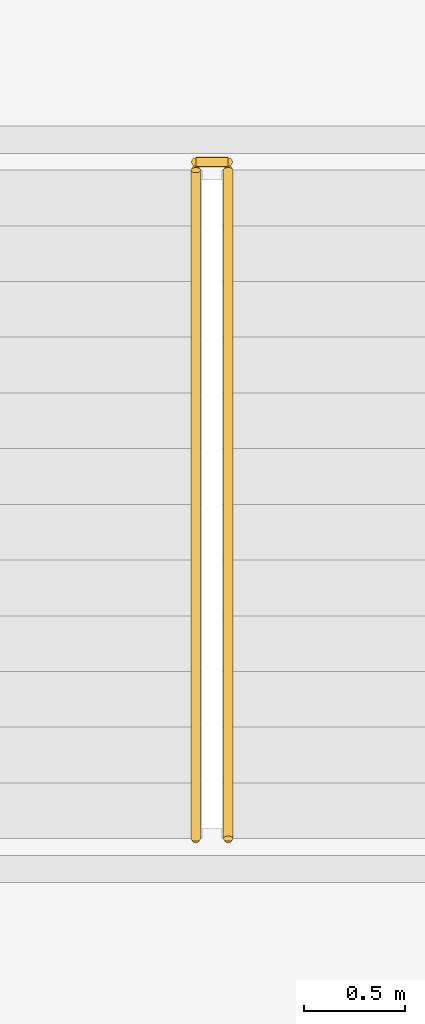
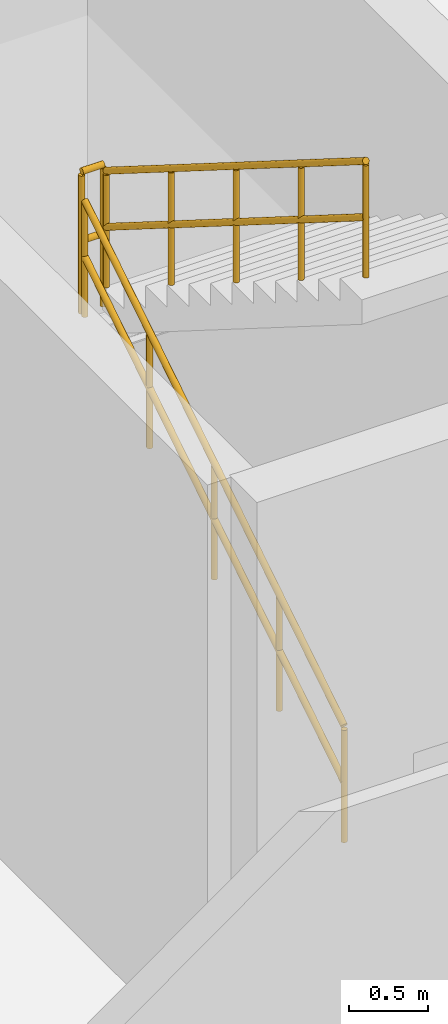
# One storey, part 6 of 8: 3 railings.
"""IFC4 building model written with IfcOpenShell, lengths in metres."""

from ifc_helpers import new_model, si_unit, direction, frame, origin, origin_2d, place, context, subcontext, project, spatial, circle, extrude, material, type_object, element, save


model = new_model("IFC4")

# Units and contexts
model_context = context("Model", 3, precision=1e-05, world=origin(), true_north=direction((0.0, 1.0)))
body_context = subcontext(model_context, "Body", "Model", "MODEL_VIEW")
ifc_project = project(units=[si_unit("LENGTHUNIT", "METRE"), si_unit("AREAUNIT", "SQUARE_METRE"), si_unit("VOLUMEUNIT", "CUBIC_METRE"), si_unit("PLANEANGLEUNIT", "RADIAN"), si_unit("MASSUNIT", "GRAM", prefix="KILO")], contexts=[model_context])

# Site, building, storey
site_placement = place(None, origin())
site = spatial("IfcSite", under=ifc_project, at=site_placement, CompositionType="ELEMENT")
building_placement = place(site_placement, origin())
building = spatial("IfcBuilding", under=site, at=building_placement, Name="Caelvoria Tower", CompositionType="ELEMENT")
storey_placement = place(building_placement, frame((0.0, 0.0, 18.5)))
storey = spatial("IfcBuildingStorey", under=building, at=storey_placement, Name="L04", CompositionType="ELEMENT", Elevation=18.5)

# Railings
ifc_material_1 = material(Name="Brushed Stainless Steel Tube", Category="steel")
railing_type_1 = type_object("IfcRailingType", Name="Stair Tubular Stainless Handrail 920", PredefinedType="HANDRAIL", material=ifc_material_1)
railing_1_placement = place(storey_placement, frame((26.320068359375, 29.60009765625, 0.173095703125)))
element("IfcRailing", 1, at=railing_1_placement, inside=storey, type_object=railing_type_1, Name="ST-03 Flight 1 Handrail L04", PredefinedType="HANDRAIL", context=body_context, shape_type="SweptSolid", body=[
    extrude(circle(Radius=0.02392578125, at=origin_2d()), frame((0.0, 0.0, 0.89599609375), z_axis=(0.0, 0.846319618018, 0.532675421018), x_axis=(-1.0, 0.0, 0.0)), (0.0, 0.0, 1.0), 3.89892578125),
    extrude(circle(Radius=0.02392578125, at=origin_2d()), frame((0.0, 0.0, 0.4599609375), z_axis=(0.0, 0.846319618018, 0.532675421018), x_axis=(-1.0, 0.0, 0.0)), (0.0, 0.0, 1.0), 3.89892578125),
    extrude(circle(Radius=0.02099609375, at=origin_2d()), origin(), (0.0, 0.0, 1.0), 0.871826171875),
    extrude(circle(Radius=0.02099609375, at=origin_2d()), frame((0.0, 0.824951171875, 0.519287109375)), (0.0, 0.0, 1.0), 0.871826171875),
    extrude(circle(Radius=0.02099609375, at=origin_2d()), frame((0.0, 1.64990234375, 1.03857421875)), (0.0, 0.0, 1.0), 0.871826171875),
    extrude(circle(Radius=0.02099609375, at=origin_2d()), frame((0.0, 2.474853515625, 1.5576171875)), (0.0, 0.0, 1.0), 0.871826171875),
    extrude(circle(Radius=0.02099609375, at=origin_2d()), frame((0.0, 3.2998046875, 2.076904296875)), (0.0, 0.0, 1.0), 0.871826171875),
])
railing_2_placement = place(storey_placement, frame((26.47998046875, 32.89990234375, 2.423095703125)))
element("IfcRailing", 2, at=railing_2_placement, inside=storey, type_object=railing_type_1, Name="ST-03 Flight 2 Handrail L04", PredefinedType="HANDRAIL", context=body_context, shape_type="SweptSolid", body=[
    extrude(circle(Radius=0.02392578125, at=origin_2d()), frame((0.0, 0.0, 0.89599609375), z_axis=(0.0, -0.846319618018, 0.532675421018), x_axis=(1.0, 0.0, 0.0)), (0.0, 0.0, 1.0), 3.89892578125),
    extrude(circle(Radius=0.02392578125, at=origin_2d()), frame((0.0, 0.0, 0.4599609375), z_axis=(0.0, -0.846319618018, 0.532675421018), x_axis=(1.0, 0.0, 0.0)), (0.0, 0.0, 1.0), 3.89892578125),
    extrude(circle(Radius=0.02099609375, at=origin_2d()), origin(), (0.0, 0.0, 1.0), 0.871826171875),
    extrude(circle(Radius=0.02099609375, at=origin_2d()), frame((0.0, -0.824951171875, 0.519287109375)), (0.0, 0.0, 1.0), 0.871826171875),
    extrude(circle(Radius=0.02099609375, at=origin_2d()), frame((0.0, -1.64990234375, 1.03857421875)), (0.0, 0.0, 1.0), 0.871826171875),
    extrude(circle(Radius=0.02099609375, at=origin_2d()), frame((0.0, -2.474853515625, 1.5576171875)), (0.0, 0.0, 1.0), 0.871826171875),
    extrude(circle(Radius=0.02099609375, at=origin_2d()), frame((0.0, -3.2998046875, 2.076904296875)), (0.0, 0.0, 1.0), 0.871826171875),
])
ifc_material_2 = material(Name="Brushed Stainless Steel Guardrail", Category="steel")
railing_type_2 = type_object("IfcRailingType", Name="Stair Well and Ramp Guardrail 1120", PredefinedType="GUARDRAIL", material=ifc_material_2)
railing_3_placement = place(storey_placement, frame((26.320068359375, 32.93994140625, 2.25)))
element("IfcRailing", 3, at=railing_3_placement, inside=storey, type_object=railing_type_2, Name="ST-03 Half-Landing Well Guard L04", PredefinedType="GUARDRAIL", context=body_context, shape_type="SweptSolid", body=[
    extrude(circle(Radius=0.02392578125, at=origin_2d()), frame((0.0, 0.0, 1.09619140625), z_axis=(1.0, 0.0, 0.0), x_axis=(0.0, 1.0, 0.0)), (0.0, 0.0, 1.0), 0.159912109375),
    extrude(circle(Radius=0.02392578125, at=origin_2d()), frame((0.0, 0.0, 0.56005859375), z_axis=(1.0, 0.0, 0.0), x_axis=(0.0, 1.0, 0.0)), (0.0, 0.0, 1.0), 0.159912109375),
    extrude(circle(Radius=0.02099609375, at=origin_2d()), origin(), (0.0, 0.0, 1.0), 1.072021484375),
    extrude(circle(Radius=0.02099609375, at=origin_2d()), frame((0.159912109375, 0.0, 0.0)), (0.0, 0.0, 1.0), 1.072021484375),
])

save(model, "model.ifc")
